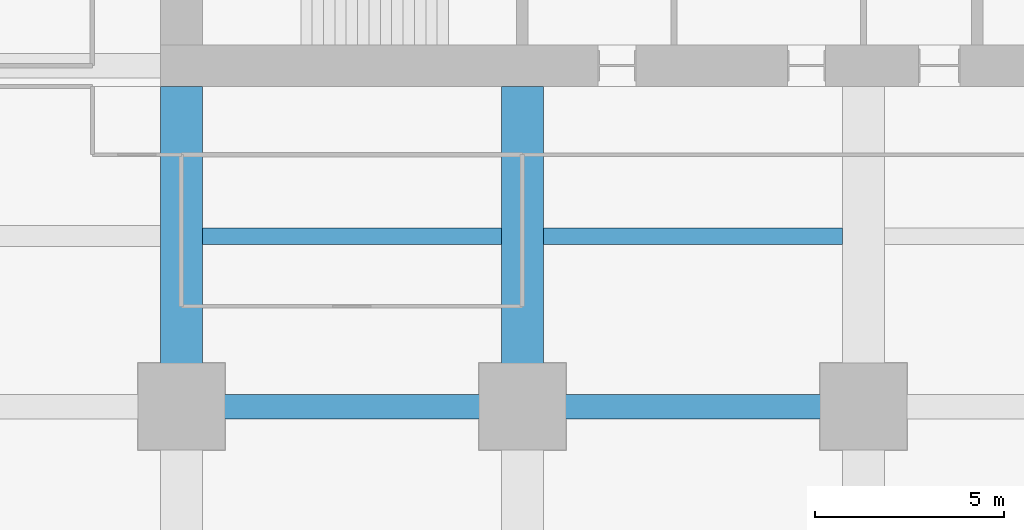
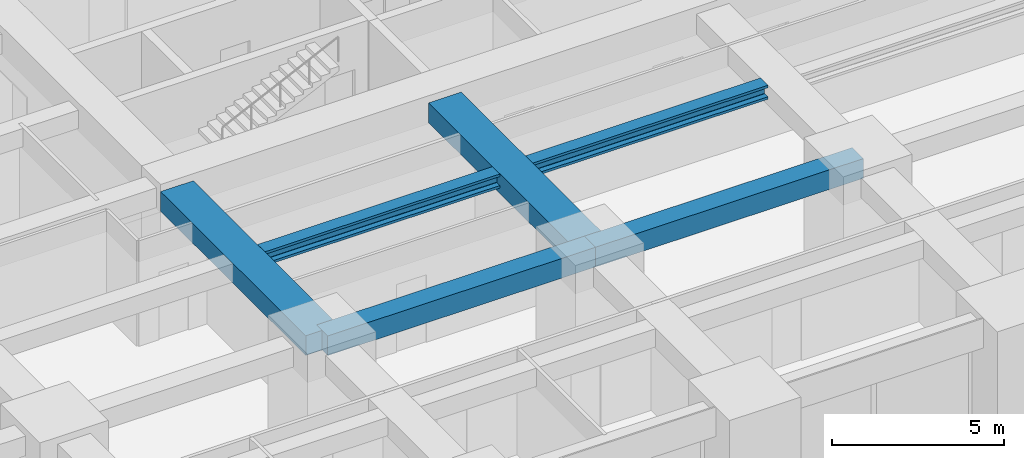
# One storey, part 8 of 45: 6 beams.
"""IFC4 building model written with IfcOpenShell, lengths in metres."""

from ifc_helpers import new_model, si_unit, direction, frame, origin, origin_2d, place, context, subcontext, project, spatial, rectangle, i_section, extrude, material, material_profile, profile_set, type_object, element, save


model = new_model("IFC4")

# Units and contexts
model_context = context("Model", 3, precision=1e-05, world=origin(), true_north=direction((0.0, 1.0)))
body_context = subcontext(model_context, "Body", "Model", "MODEL_VIEW")
ifc_project = project(units=[si_unit("LENGTHUNIT", "METRE"), si_unit("AREAUNIT", "SQUARE_METRE"), si_unit("VOLUMEUNIT", "CUBIC_METRE"), si_unit("PLANEANGLEUNIT", "RADIAN"), si_unit("MASSUNIT", "GRAM", prefix="KILO")], contexts=[model_context])

# Site, building, storey
site_placement = place(None, origin())
site = spatial("IfcSite", under=ifc_project, at=site_placement, CompositionType="ELEMENT")
building_placement = place(site_placement, origin())
building = spatial("IfcBuilding", under=site, at=building_placement, Name="Zorevar Civic Tower", CompositionType="ELEMENT")
storey_placement = place(building_placement, frame((0.0, 0.0, 47.800048828125)))
storey = spatial("IfcBuildingStorey", under=building, at=storey_placement, Name="L11", CompositionType="ELEMENT", Elevation=47.800048828125)

# Beams
ifc_material_1 = material(Name="Concrete C50/60", Category="concrete")
ifc_material_profile_1 = material_profile(ifc_material_1, rectangle(XDim=1.10009765625, YDim=0.699951171875, at=origin_2d()), Name="RC 1100x700")
ifc_profile_set_1 = profile_set([ifc_material_profile_1], Name="Concrete C50/60")
beam_type_1 = type_object("IfcBeamType", Name="Beam RC 1100x700", PredefinedType="BEAM", material=ifc_profile_set_1)
for number, where, z_axis, x_axis, name in (
    (1, (18.0, 9.0, 3.39990234375), (0.0, 1.0, 0.0), (-1.0, 0.0, 0.0), "Girder L12"),
    (2, (27.0, 9.0, 3.39990234375), (0.0, 1.0, 0.0), (-1.0, 0.0, 0.0), "Girder L12"),
):
    element("IfcBeam", number, at=place(storey_placement, frame(where, z_axis=z_axis, x_axis=x_axis)), inside=storey, type_object=beam_type_1, Name=name, PredefinedType="BEAM", context=body_context, shape_type="SweptSolid", body=[
        extrude(rectangle(XDim=1.10009765625, YDim=0.699951171875, at=origin_2d()), origin(), (0.0, 0.0, 1.0), 8.449951171875),
    ])
ifc_material_2 = material(Name="Concrete C50/60", Category="concrete")
ifc_material_profile_2 = material_profile(ifc_material_2, rectangle(XDim=0.64990234375, YDim=0.699951171875, at=origin_2d()), Name="RC 650x700")
ifc_profile_set_2 = profile_set([ifc_material_profile_2], Name="Concrete C50/60")
beam_type_2 = type_object("IfcBeamType", Name="Beam RC 650x700", PredefinedType="BEAM", material=ifc_profile_set_2)
for number, where, z_axis, x_axis, name in (
    (3, (18.0, 9.0, 3.39990234375), (1.0, 0.0, 0.0), (0.0, 1.0, 0.0), "Girder L12"),
    (4, (27.0, 9.0, 3.39990234375), (1.0, 0.0, 0.0), (0.0, 1.0, 0.0), "Girder L12"),
):
    element("IfcBeam", number, at=place(storey_placement, frame(where, z_axis=z_axis, x_axis=x_axis)), inside=storey, type_object=beam_type_2, Name=name, PredefinedType="BEAM", context=body_context, shape_type="SweptSolid", body=[
        extrude(rectangle(XDim=0.64990234375, YDim=0.699951171875, at=origin_2d()), origin(), (0.0, 0.0, 1.0), 9.0),
    ])
ifc_material_3 = material(Name="Steel S460M (HISTAR 460)", Category="steel")
ifc_material_profile_3 = material_profile(ifc_material_3, i_section(OverallWidth=0.431884765625, OverallDepth=0.498046875, WebThickness=0.0556640625, FlangeThickness=0.0888671875, FilletRadius=0.014892578125, at=origin_2d()), Name="HD 400x744")
ifc_profile_set_3 = profile_set([ifc_material_profile_3], Name="Steel S460M (HISTAR 460)")
beam_type_3 = type_object("IfcBeamType", Name="Core bay beam HD 400x744", PredefinedType="BEAM", material=ifc_profile_set_3)
for number, where, z_axis, x_axis, name in (
    (5, (18.550048828125, 13.5, 3.5009765625), (1.0, 0.0, 0.0), (0.0, 1.0, 0.0), "Secondary beam L12"),
    (6, (27.550048828125, 13.5, 3.5009765625), (1.0, 0.0, 0.0), (0.0, 1.0, 0.0), "Secondary beam L12"),
):
    element("IfcBeam", number, at=place(storey_placement, frame(where, z_axis=z_axis, x_axis=x_axis)), inside=storey, type_object=beam_type_3, Name=name, PredefinedType="BEAM", context=body_context, shape_type="SweptSolid", body=[
        extrude(i_section(OverallWidth=0.431884765625, OverallDepth=0.498046875, WebThickness=0.0556640625, FlangeThickness=0.0888671875, FilletRadius=0.014892578125, at=origin_2d()), origin(), (0.0, 0.0, 1.0), 7.89990234375),
    ])

save(model, "model.ifc")
